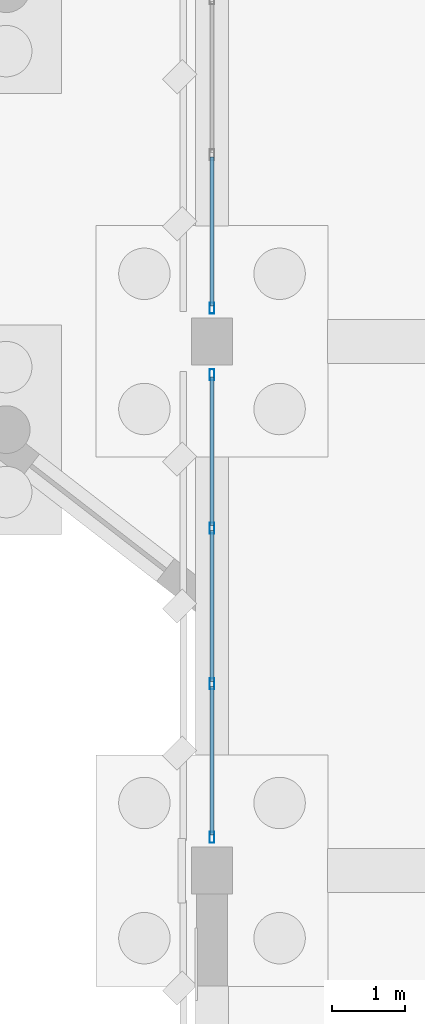
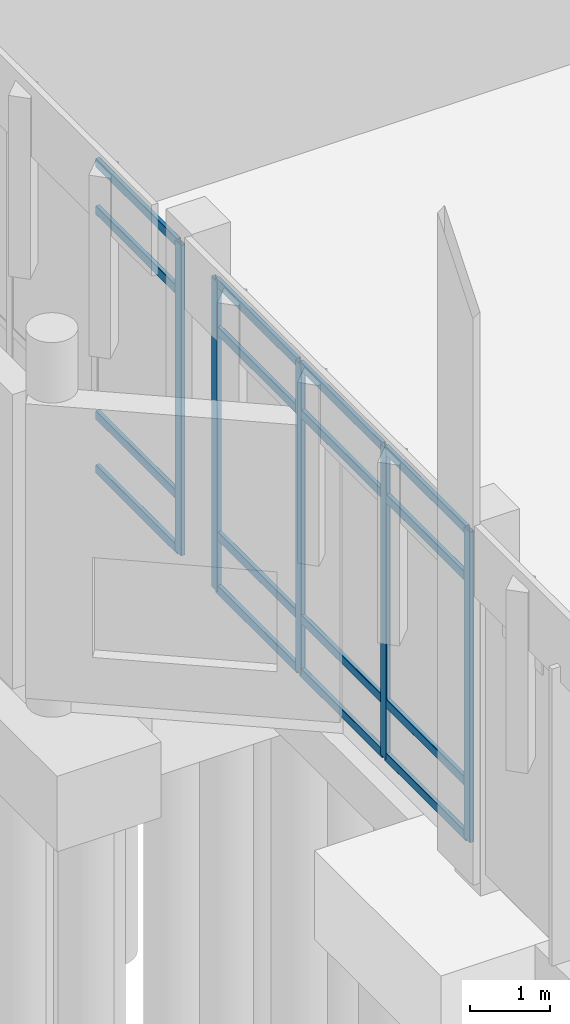
# One storey, part 27 of 109: 21 members, 2 elements without a shape of their own.
"""IFC4 building model written with IfcOpenShell, lengths in metres."""

from ifc_helpers import new_model, si_unit, direction, frame, origin, origin_2d, place, context, subcontext, project, spatial, hollow_rectangle, extrude, material, material_profile, profile_set, type_object, element, aggregate, save


model = new_model("IFC4")

# Units and contexts
model_context = context("Model", 3, precision=1e-05, world=origin(), true_north=direction((0.0, 1.0)))
body_context = subcontext(model_context, "Body", "Model", "MODEL_VIEW")
ifc_project = project(units=[si_unit("LENGTHUNIT", "METRE"), si_unit("AREAUNIT", "SQUARE_METRE"), si_unit("VOLUMEUNIT", "CUBIC_METRE"), si_unit("PLANEANGLEUNIT", "RADIAN"), si_unit("MASSUNIT", "GRAM", prefix="KILO")], contexts=[model_context])

# Site, building, storey
site_placement = place(None, origin())
site = spatial("IfcSite", under=ifc_project, at=site_placement, CompositionType="ELEMENT")
building_placement = place(site_placement, origin())
building = spatial("IfcBuilding", under=site, at=building_placement, Name="Lusvemor Sports Hall", CompositionType="ELEMENT")
storey_placement = place(building_placement, origin())
storey = spatial("IfcBuildingStorey", under=building, at=storey_placement, Name="L00", CompositionType="ELEMENT", Elevation=0.0)

# Curtain wall, members
ifc_material_1 = material(Name="Thermally broken bronze-anodized aluminium", Category="aluminium")
curtain_wall_type = type_object("IfcCurtainWallType", Name="CW_WING_B", PredefinedType="NOTDEFINED", material=ifc_material_1)
curtain_wall_1_placement = place(storey_placement, origin())
curtain_wall_1 = element("IfcCurtainWall", 1, at=curtain_wall_1_placement, inside=storey, type_object=curtain_wall_type, Name="Curtain Wall CW-L00-W-0-1", PredefinedType="NOTDEFINED")
ifc_material_2 = material(Name="Thermally broken bronze-anodized aluminium", Category="aluminium")
ifc_material_profile_1 = material_profile(ifc_material_2, hollow_rectangle(XDim=0.06494140625, YDim=0.14990234375, WallThickness=0.00390625, InnerFilletRadius=0.00390625, OuterFilletRadius=0.008056640625, at=origin_2d()), Name="CWMUL150x65x4")
ifc_profile_set_1 = profile_set([ifc_material_profile_1], Name="Thermally broken bronze-anodized aluminium")
member_type_1 = type_object("IfcMemberType", Name="CW_MUL_B", PredefinedType="MULLION", material=ifc_profile_set_1)
member_1_placement = place(storey_placement, frame((0.0, 54.452392578125, 0.0), z_axis=(0.0, 0.0, 1.0), x_axis=(-1.0, 0.0, 0.0)))
member_1 = element("IfcMember", 2, at=member_1_placement, type_object=member_type_1, Name="CW02 mullion 1", PredefinedType="MULLION", context=body_context, shape_type="SweptSolid", body=[
    extrude(hollow_rectangle(XDim=0.06494140625, YDim=0.14990234375, WallThickness=0.00390625, InnerFilletRadius=0.00390625, OuterFilletRadius=0.008056640625, at=origin_2d()), origin(), (0.0, 0.0, 1.0), 4.719970703125),
])
member_2_placement = place(storey_placement, frame((0.0, 56.5400390625, 0.0), z_axis=(0.0, 0.0, 1.0), x_axis=(-1.0, 0.0, 0.0)))
member_2 = element("IfcMember", 3, at=member_2_placement, type_object=member_type_1, Name="CW02 mullion 2", PredefinedType="MULLION", context=body_context, shape_type="SweptSolid", body=[
    extrude(hollow_rectangle(XDim=0.06494140625, YDim=0.14990234375, WallThickness=0.00390625, InnerFilletRadius=0.00390625, OuterFilletRadius=0.008056640625, at=origin_2d()), origin(), (0.0, 0.0, 1.0), 4.719970703125),
])
member_3_placement = place(storey_placement, frame((0.0, 58.659912109375, 0.0), z_axis=(0.0, 0.0, 1.0), x_axis=(-1.0, 0.0, 0.0)))
member_3 = element("IfcMember", 4, at=member_3_placement, type_object=member_type_1, Name="CW02 mullion 3", PredefinedType="MULLION", context=body_context, shape_type="SweptSolid", body=[
    extrude(hollow_rectangle(XDim=0.06494140625, YDim=0.14990234375, WallThickness=0.00390625, InnerFilletRadius=0.00390625, OuterFilletRadius=0.008056640625, at=origin_2d()), origin(), (0.0, 0.0, 1.0), 4.719970703125),
])
member_4_placement = place(storey_placement, frame((0.0, 60.74755859375, 0.0), z_axis=(0.0, 0.0, 1.0), x_axis=(-1.0, 0.0, 0.0)))
member_4 = element("IfcMember", 5, at=member_4_placement, type_object=member_type_1, Name="CW02 mullion 4", PredefinedType="MULLION", context=body_context, shape_type="SweptSolid", body=[
    extrude(hollow_rectangle(XDim=0.06494140625, YDim=0.14990234375, WallThickness=0.00390625, InnerFilletRadius=0.00390625, OuterFilletRadius=0.008056640625, at=origin_2d()), origin(), (0.0, 0.0, 1.0), 4.719970703125),
])

# Curtain wall, member
curtain_wall_2_placement = place(storey_placement, origin())
curtain_wall_2 = element("IfcCurtainWall", 6, at=curtain_wall_2_placement, inside=storey, type_object=curtain_wall_type, Name="Curtain Wall CW-L00-W-0-2", PredefinedType="NOTDEFINED")
member_5_placement = place(storey_placement, frame((0.0, 61.652587890625, 0.0), z_axis=(0.0, 0.0, 1.0), x_axis=(-1.0, 0.0, 0.0)))
member_5 = element("IfcMember", 7, at=member_5_placement, type_object=member_type_1, Name="CW02 mullion 1", PredefinedType="MULLION", context=body_context, shape_type="SweptSolid", body=[
    extrude(hollow_rectangle(XDim=0.06494140625, YDim=0.14990234375, WallThickness=0.00390625, InnerFilletRadius=0.00390625, OuterFilletRadius=0.008056640625, at=origin_2d()), origin(), (0.0, 0.0, 1.0), 4.719970703125),
])

# Member
ifc_material_3 = material(Name="Thermally broken bronze-anodized aluminium", Category="aluminium")
ifc_material_profile_2 = material_profile(ifc_material_3, hollow_rectangle(XDim=0.06005859375, YDim=0.135009765625, WallThickness=0.00390625, InnerFilletRadius=0.00390625, OuterFilletRadius=0.008056640625, at=origin_2d()), Name="CWTRN135x60x4")
ifc_profile_set_2 = profile_set([ifc_material_profile_2], Name="Thermally broken bronze-anodized aluminium")
member_type_2 = type_object("IfcMemberType", Name="CW_TRN_B", PredefinedType="USERDEFINED", material=ifc_profile_set_2)
member_6_placement = place(storey_placement, frame((0.0, 54.485107421875, 0.030029296875), z_axis=(0.0, 1.0, 0.0), x_axis=(-1.0, 0.0, 0.0)))
member_6 = element("IfcMember", 8, at=member_6_placement, type_object=member_type_2, Name="CW02 transom 1.1", ObjectType="TRANSOM", PredefinedType="USERDEFINED", context=body_context, shape_type="SweptSolid", body=[
    extrude(hollow_rectangle(XDim=0.06005859375, YDim=0.135009765625, WallThickness=0.00390625, InnerFilletRadius=0.00390625, OuterFilletRadius=0.008056640625, at=origin_2d()), origin(), (0.0, 0.0, 1.0), 2.0224609375),
])

member_7_placement = place(storey_placement, frame((0.0, 54.485107421875, 0.85009765625), z_axis=(0.0, 1.0, 0.0), x_axis=(-1.0, 0.0, 0.0)))
member_7 = element("IfcMember", 9, at=member_7_placement, type_object=member_type_2, Name="CW02 transom 1.2", ObjectType="TRANSOM", PredefinedType="USERDEFINED", context=body_context, shape_type="SweptSolid", body=[
    extrude(hollow_rectangle(XDim=0.06005859375, YDim=0.135009765625, WallThickness=0.00390625, InnerFilletRadius=0.00390625, OuterFilletRadius=0.008056640625, at=origin_2d()), origin(), (0.0, 0.0, 1.0), 2.0224609375),
])

member_8_placement = place(storey_placement, frame((0.0, 54.485107421875, 3.969970703125), z_axis=(0.0, 1.0, 0.0), x_axis=(-1.0, 0.0, 0.0)))
member_8 = element("IfcMember", 10, at=member_8_placement, type_object=member_type_2, Name="CW02 transom 1.3", ObjectType="TRANSOM", PredefinedType="USERDEFINED", context=body_context, shape_type="SweptSolid", body=[
    extrude(hollow_rectangle(XDim=0.06005859375, YDim=0.135009765625, WallThickness=0.00390625, InnerFilletRadius=0.00390625, OuterFilletRadius=0.008056640625, at=origin_2d()), origin(), (0.0, 0.0, 1.0), 2.0224609375),
])

member_9_placement = place(storey_placement, frame((0.0, 54.485107421875, 4.68994140625), z_axis=(0.0, 1.0, 0.0), x_axis=(-1.0, 0.0, 0.0)))
member_9 = element("IfcMember", 11, at=member_9_placement, type_object=member_type_2, Name="CW02 transom 1.4", ObjectType="TRANSOM", PredefinedType="USERDEFINED", context=body_context, shape_type="SweptSolid", body=[
    extrude(hollow_rectangle(XDim=0.06005859375, YDim=0.135009765625, WallThickness=0.00390625, InnerFilletRadius=0.00390625, OuterFilletRadius=0.008056640625, at=origin_2d()), origin(), (0.0, 0.0, 1.0), 2.0224609375),
])

member_10_placement = place(storey_placement, frame((0.0, 56.572509765625, 0.030029296875), z_axis=(0.0, 1.0, 0.0), x_axis=(-1.0, 0.0, 0.0)))
member_10 = element("IfcMember", 12, at=member_10_placement, type_object=member_type_2, Name="CW02 transom 2.1", ObjectType="TRANSOM", PredefinedType="USERDEFINED", context=body_context, shape_type="SweptSolid", body=[
    extrude(hollow_rectangle(XDim=0.06005859375, YDim=0.135009765625, WallThickness=0.00390625, InnerFilletRadius=0.00390625, OuterFilletRadius=0.008056640625, at=origin_2d()), origin(), (0.0, 0.0, 1.0), 2.054931640625),
])

member_11_placement = place(storey_placement, frame((0.0, 56.572509765625, 0.85009765625), z_axis=(0.0, 1.0, 0.0), x_axis=(-1.0, 0.0, 0.0)))
member_11 = element("IfcMember", 13, at=member_11_placement, type_object=member_type_2, Name="CW02 transom 2.2", ObjectType="TRANSOM", PredefinedType="USERDEFINED", context=body_context, shape_type="SweptSolid", body=[
    extrude(hollow_rectangle(XDim=0.06005859375, YDim=0.135009765625, WallThickness=0.00390625, InnerFilletRadius=0.00390625, OuterFilletRadius=0.008056640625, at=origin_2d()), origin(), (0.0, 0.0, 1.0), 2.054931640625),
])

member_12_placement = place(storey_placement, frame((0.0, 56.572509765625, 3.969970703125), z_axis=(0.0, 1.0, 0.0), x_axis=(-1.0, 0.0, 0.0)))
member_12 = element("IfcMember", 14, at=member_12_placement, type_object=member_type_2, Name="CW02 transom 2.3", ObjectType="TRANSOM", PredefinedType="USERDEFINED", context=body_context, shape_type="SweptSolid", body=[
    extrude(hollow_rectangle(XDim=0.06005859375, YDim=0.135009765625, WallThickness=0.00390625, InnerFilletRadius=0.00390625, OuterFilletRadius=0.008056640625, at=origin_2d()), origin(), (0.0, 0.0, 1.0), 2.054931640625),
])

member_13_placement = place(storey_placement, frame((0.0, 56.572509765625, 4.68994140625), z_axis=(0.0, 1.0, 0.0), x_axis=(-1.0, 0.0, 0.0)))
member_13 = element("IfcMember", 15, at=member_13_placement, type_object=member_type_2, Name="CW02 transom 2.4", ObjectType="TRANSOM", PredefinedType="USERDEFINED", context=body_context, shape_type="SweptSolid", body=[
    extrude(hollow_rectangle(XDim=0.06005859375, YDim=0.135009765625, WallThickness=0.00390625, InnerFilletRadius=0.00390625, OuterFilletRadius=0.008056640625, at=origin_2d()), origin(), (0.0, 0.0, 1.0), 2.054931640625),
])

member_14_placement = place(storey_placement, frame((0.0, 58.6923828125, 0.030029296875), z_axis=(0.0, 1.0, 0.0), x_axis=(-1.0, 0.0, 0.0)))
member_14 = element("IfcMember", 16, at=member_14_placement, type_object=member_type_2, Name="CW02 transom 3.1", ObjectType="TRANSOM", PredefinedType="USERDEFINED", context=body_context, shape_type="SweptSolid", body=[
    extrude(hollow_rectangle(XDim=0.06005859375, YDim=0.135009765625, WallThickness=0.00390625, InnerFilletRadius=0.00390625, OuterFilletRadius=0.008056640625, at=origin_2d()), origin(), (0.0, 0.0, 1.0), 2.022705078125),
])

member_15_placement = place(storey_placement, frame((0.0, 58.6923828125, 0.85009765625), z_axis=(0.0, 1.0, 0.0), x_axis=(-1.0, 0.0, 0.0)))
member_15 = element("IfcMember", 17, at=member_15_placement, type_object=member_type_2, Name="CW02 transom 3.2", ObjectType="TRANSOM", PredefinedType="USERDEFINED", context=body_context, shape_type="SweptSolid", body=[
    extrude(hollow_rectangle(XDim=0.06005859375, YDim=0.135009765625, WallThickness=0.00390625, InnerFilletRadius=0.00390625, OuterFilletRadius=0.008056640625, at=origin_2d()), origin(), (0.0, 0.0, 1.0), 2.022705078125),
])

member_16_placement = place(storey_placement, frame((0.0, 58.6923828125, 3.969970703125), z_axis=(0.0, 1.0, 0.0), x_axis=(-1.0, 0.0, 0.0)))
member_16 = element("IfcMember", 18, at=member_16_placement, type_object=member_type_2, Name="CW02 transom 3.3", ObjectType="TRANSOM", PredefinedType="USERDEFINED", context=body_context, shape_type="SweptSolid", body=[
    extrude(hollow_rectangle(XDim=0.06005859375, YDim=0.135009765625, WallThickness=0.00390625, InnerFilletRadius=0.00390625, OuterFilletRadius=0.008056640625, at=origin_2d()), origin(), (0.0, 0.0, 1.0), 2.022705078125),
])

member_17_placement = place(storey_placement, frame((0.0, 58.6923828125, 4.68994140625), z_axis=(0.0, 1.0, 0.0), x_axis=(-1.0, 0.0, 0.0)))
member_17 = element("IfcMember", 19, at=member_17_placement, type_object=member_type_2, Name="CW02 transom 3.4", ObjectType="TRANSOM", PredefinedType="USERDEFINED", context=body_context, shape_type="SweptSolid", body=[
    extrude(hollow_rectangle(XDim=0.06005859375, YDim=0.135009765625, WallThickness=0.00390625, InnerFilletRadius=0.00390625, OuterFilletRadius=0.008056640625, at=origin_2d()), origin(), (0.0, 0.0, 1.0), 2.022705078125),
])

aggregate(curtain_wall_1, [member_1, member_2, member_3, member_4, member_6, member_7, member_8, member_9, member_10, member_11, member_12, member_13, member_14, member_15, member_16, member_17])

member_18_placement = place(storey_placement, frame((0.0, 61.68505859375, 0.030029296875), z_axis=(0.0, 1.0, 0.0), x_axis=(-1.0, 0.0, 0.0)))
member_18 = element("IfcMember", 20, at=member_18_placement, type_object=member_type_2, Name="CW02 transom 1.1", ObjectType="TRANSOM", PredefinedType="USERDEFINED", context=body_context, shape_type="SweptSolid", body=[
    extrude(hollow_rectangle(XDim=0.06005859375, YDim=0.135009765625, WallThickness=0.00390625, InnerFilletRadius=0.00390625, OuterFilletRadius=0.008056640625, at=origin_2d()), origin(), (0.0, 0.0, 1.0), 2.0224609375),
])

member_19_placement = place(storey_placement, frame((0.0, 61.68505859375, 0.85009765625), z_axis=(0.0, 1.0, 0.0), x_axis=(-1.0, 0.0, 0.0)))
member_19 = element("IfcMember", 21, at=member_19_placement, type_object=member_type_2, Name="CW02 transom 1.2", ObjectType="TRANSOM", PredefinedType="USERDEFINED", context=body_context, shape_type="SweptSolid", body=[
    extrude(hollow_rectangle(XDim=0.06005859375, YDim=0.135009765625, WallThickness=0.00390625, InnerFilletRadius=0.00390625, OuterFilletRadius=0.008056640625, at=origin_2d()), origin(), (0.0, 0.0, 1.0), 2.0224609375),
])

member_20_placement = place(storey_placement, frame((0.0, 61.68505859375, 3.969970703125), z_axis=(0.0, 1.0, 0.0), x_axis=(-1.0, 0.0, 0.0)))
member_20 = element("IfcMember", 22, at=member_20_placement, type_object=member_type_2, Name="CW02 transom 1.3", ObjectType="TRANSOM", PredefinedType="USERDEFINED", context=body_context, shape_type="SweptSolid", body=[
    extrude(hollow_rectangle(XDim=0.06005859375, YDim=0.135009765625, WallThickness=0.00390625, InnerFilletRadius=0.00390625, OuterFilletRadius=0.008056640625, at=origin_2d()), origin(), (0.0, 0.0, 1.0), 2.0224609375),
])

member_21_placement = place(storey_placement, frame((0.0, 61.68505859375, 4.68994140625), z_axis=(0.0, 1.0, 0.0), x_axis=(-1.0, 0.0, 0.0)))
member_21 = element("IfcMember", 23, at=member_21_placement, type_object=member_type_2, Name="CW02 transom 1.4", ObjectType="TRANSOM", PredefinedType="USERDEFINED", context=body_context, shape_type="SweptSolid", body=[
    extrude(hollow_rectangle(XDim=0.06005859375, YDim=0.135009765625, WallThickness=0.00390625, InnerFilletRadius=0.00390625, OuterFilletRadius=0.008056640625, at=origin_2d()), origin(), (0.0, 0.0, 1.0), 2.0224609375),
])

aggregate(curtain_wall_2, [member_5, member_18, member_19, member_20, member_21])

save(model, "model.ifc")
